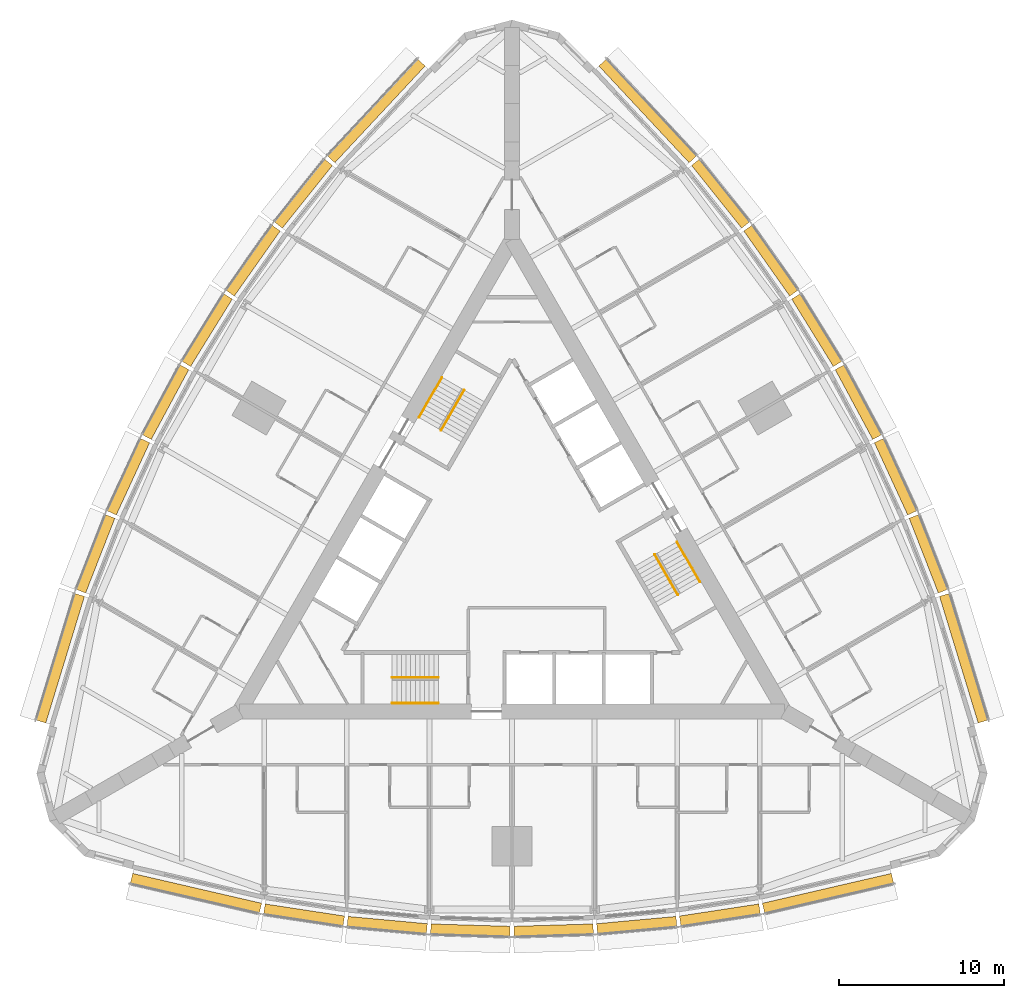
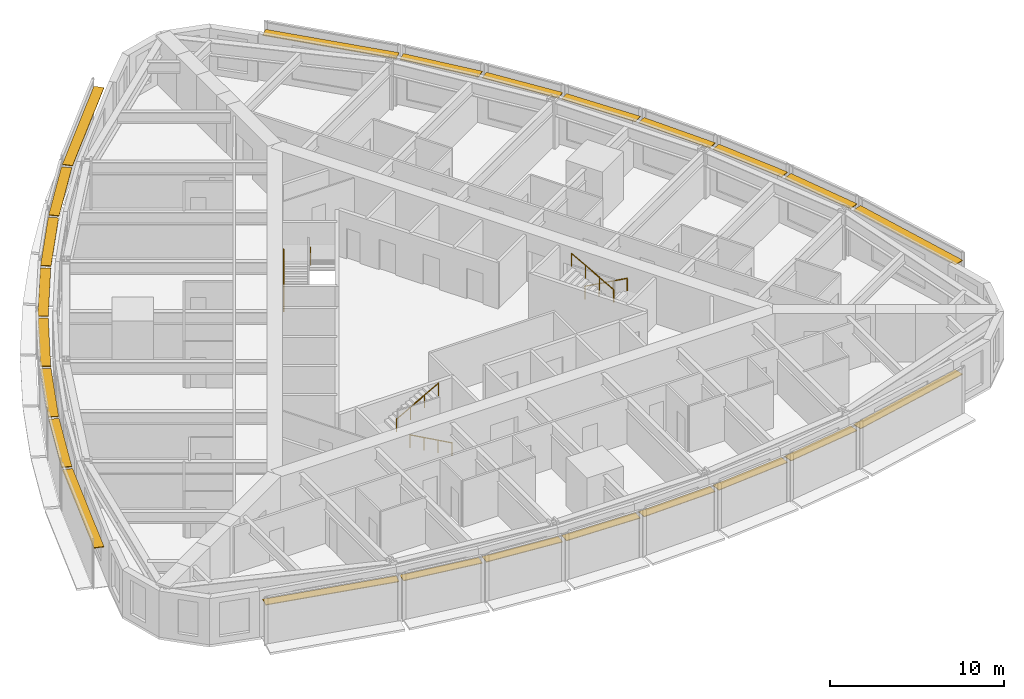
# One storey, part 14 of 14: 24 shading devices, 6 railings.
"""IFC4 building model written with IfcOpenShell, lengths in metres."""

from ifc_helpers import new_model, si_unit, direction, frame, origin, origin_2d, place, context, subcontext, project, spatial, rectangle, circle, extrude, material, type_object, element, save


model = new_model("IFC4")

# Units and contexts
model_context = context("Model", 3, precision=1e-05, world=origin(), true_north=direction((0.0, 1.0)))
body_context = subcontext(model_context, "Body", "Model", "MODEL_VIEW")
ifc_project = project(units=[si_unit("LENGTHUNIT", "METRE"), si_unit("AREAUNIT", "SQUARE_METRE"), si_unit("VOLUMEUNIT", "CUBIC_METRE"), si_unit("PLANEANGLEUNIT", "RADIAN"), si_unit("MASSUNIT", "GRAM", prefix="KILO")], contexts=[model_context])

# Site, building, storey
site_placement = place(None, origin())
site = spatial("IfcSite", under=ifc_project, at=site_placement, CompositionType="ELEMENT")
building_placement = place(site_placement, origin())
building = spatial("IfcBuilding", under=site, at=building_placement, Name="Trikona Tower", CompositionType="ELEMENT")
storey_placement = place(building_placement, frame((0.0, 0.0, 31.89990234375)))
storey = spatial("IfcBuildingStorey", under=building, at=storey_placement, Name="L06", CompositionType="ELEMENT", Elevation=31.89990234375)

# Shading devices
ifc_material_1 = material(Name="Aluminium louvre blade, pale anodised", Category="aluminium")
shading_device_type = type_object("IfcShadingDeviceType", Name="Cavity louvre 600", PredefinedType="USERDEFINED", material=ifc_material_1)
shading_device_1_placement = place(storey_placement, frame((-19.126220703125, -20.5234375, 2.77490234375), z_axis=(0.0, 0.0, 1.0), x_axis=(0.974277718622, -0.225350675607, 0.0)))
element("IfcShadingDevice", 1, at=shading_device_1_placement, inside=storey, type_object=shading_device_type, Name="Cavity louvre L06-00", ObjectType="LOUVRE", PredefinedType="USERDEFINED", context=body_context, shape_type="SweptSolid", body=[
    extrude(rectangle(XDim=8.01123046875, YDim=0.60009765625, at=origin_2d()), origin(), (0.0, 0.0, 1.0), 0.050048828125),
])
shading_device_2_placement = place(storey_placement, frame((-12.584228515625, -21.837158203125, 2.77490234375), z_axis=(0.0, 0.0, 1.0), x_axis=(0.988617896768, -0.150448177754, 0.0)))
element("IfcShadingDevice", 2, at=shading_device_2_placement, inside=storey, type_object=shading_device_type, Name="Cavity louvre L06-01", ObjectType="LOUVRE", PredefinedType="USERDEFINED", context=body_context, shape_type="SweptSolid", body=[
    extrude(rectangle(XDim=4.857666015625, YDim=0.60009765625, at=origin_2d()), origin(), (0.0, 0.0, 1.0), 0.050048828125),
])
shading_device_3_placement = place(storey_placement, frame((-7.55078125, -22.44970703125, 2.77490234375), z_axis=(0.0, 0.0, 1.0), x_axis=(0.995858098326, -0.090921108655, 0.0)))
element("IfcShadingDevice", 3, at=shading_device_3_placement, inside=storey, type_object=shading_device_type, Name="Cavity louvre L06-02", ObjectType="LOUVRE", PredefinedType="USERDEFINED", context=body_context, shape_type="SweptSolid", body=[
    extrude(rectangle(XDim=4.82080078125, YDim=0.60009765625, at=origin_2d()), origin(), (0.0, 0.0, 1.0), 0.050048828125),
])
for number, where, z_axis, x_axis, name in (
    (4, (-2.51708984375, -22.756103515625, 2.77490234375), (0.0, 0.0, 1.0), (0.999537048889, -0.030425119525, 0.0), "Cavity louvre L06-03"),
    (5, (2.51708984375, -22.756103515625, 2.77490234375), (0.0, 0.0, 1.0), (0.999537048889, 0.030425119525, 0.0), "Cavity louvre L06-04"),
):
    element("IfcShadingDevice", number, at=place(storey_placement, frame(where, z_axis=z_axis, x_axis=x_axis)), inside=storey, type_object=shading_device_type, Name=name, ObjectType="LOUVRE", PredefinedType="USERDEFINED", context=body_context, shape_type="SweptSolid", body=[
        extrude(rectangle(XDim=4.80224609375, YDim=0.60009765625, at=origin_2d()), origin(), (0.0, 0.0, 1.0), 0.050048828125),
    ])
shading_device_4_placement = place(storey_placement, frame((7.55078125, -22.44970703125, 2.77490234375), z_axis=(0.0, 0.0, 1.0), x_axis=(0.995858098326, 0.090921108655, 0.0)))
element("IfcShadingDevice", 6, at=shading_device_4_placement, inside=storey, type_object=shading_device_type, Name="Cavity louvre L06-05", ObjectType="LOUVRE", PredefinedType="USERDEFINED", context=body_context, shape_type="SweptSolid", body=[
    extrude(rectangle(XDim=4.82080078125, YDim=0.60009765625, at=origin_2d()), origin(), (0.0, 0.0, 1.0), 0.050048828125),
])
shading_device_5_placement = place(storey_placement, frame((12.584228515625, -21.837158203125, 2.77490234375), z_axis=(0.0, 0.0, 1.0), x_axis=(0.988617896768, 0.150448177754, 0.0)))
element("IfcShadingDevice", 7, at=shading_device_5_placement, inside=storey, type_object=shading_device_type, Name="Cavity louvre L06-06", ObjectType="LOUVRE", PredefinedType="USERDEFINED", context=body_context, shape_type="SweptSolid", body=[
    extrude(rectangle(XDim=4.857666015625, YDim=0.60009765625, at=origin_2d()), origin(), (0.0, 0.0, 1.0), 0.050048828125),
])
for number, where, z_axis, x_axis, name in (
    (8, (19.126220703125, -20.5234375, 2.77490234375), (0.0, 0.0, 1.0), (0.974277718622, 0.225350675607, 0.0), "Cavity louvre L06-07"),
    (9, (27.3369140625, -6.302001953125, 2.77490234375), (0.0, 0.0, 1.0), (-0.291979449475, 0.956424592471, 0.0), "Cavity louvre L06-12"),
):
    element("IfcShadingDevice", number, at=place(storey_placement, frame(where, z_axis=z_axis, x_axis=x_axis)), inside=storey, type_object=shading_device_type, Name=name, ObjectType="LOUVRE", PredefinedType="USERDEFINED", context=body_context, shape_type="SweptSolid", body=[
        extrude(rectangle(XDim=8.01123046875, YDim=0.60009765625, at=origin_2d()), origin(), (0.0, 0.0, 1.0), 0.050048828125),
    ])
shading_device_6_placement = place(storey_placement, frame((25.20361328125, 0.020263671875, 2.77490234375), z_axis=(0.0, 0.0, 1.0), x_axis=(-0.364008876551, 0.931395478726, 0.0)))
element("IfcShadingDevice", 10, at=shading_device_6_placement, inside=storey, type_object=shading_device_type, Name="Cavity louvre L06-13", ObjectType="LOUVRE", PredefinedType="USERDEFINED", context=body_context, shape_type="SweptSolid", body=[
    extrude(rectangle(XDim=4.857666015625, YDim=0.60009765625, at=origin_2d()), origin(), (0.0, 0.0, 1.0), 0.050048828125),
])
shading_device_7_placement = place(storey_placement, frame((23.217529296875, 4.685546875, 2.77490234375), z_axis=(0.0, 0.0, 1.0), x_axis=(-0.41919381307, 0.907896771161, 0.0)))
element("IfcShadingDevice", 11, at=shading_device_7_placement, inside=storey, type_object=shading_device_type, Name="Cavity louvre L06-14", ObjectType="LOUVRE", PredefinedType="USERDEFINED", context=body_context, shape_type="SweptSolid", body=[
    extrude(rectangle(XDim=4.82080078125, YDim=0.60009765625, at=origin_2d()), origin(), (0.0, 0.0, 1.0), 0.050048828125),
])
for number, where, z_axis, x_axis, name in (
    (12, (20.966064453125, 9.1982421875, 2.77490234375), (0.0, 0.0, 1.0), (-0.473422672721, 0.880835383572, 0.0), "Cavity louvre L06-15"),
    (13, (18.448974609375, 13.557861328125, 2.77490234375), (0.0, 0.0, 1.0), (-0.526118935114, 0.85041099835, 0.0), "Cavity louvre L06-16"),
):
    element("IfcShadingDevice", number, at=place(storey_placement, frame(where, z_axis=z_axis, x_axis=x_axis)), inside=storey, type_object=shading_device_type, Name=name, ObjectType="LOUVRE", PredefinedType="USERDEFINED", context=body_context, shape_type="SweptSolid", body=[
        extrude(rectangle(XDim=4.80224609375, YDim=0.60009765625, at=origin_2d()), origin(), (0.0, 0.0, 1.0), 0.050048828125),
    ])
shading_device_8_placement = place(storey_placement, frame((15.666748046875, 17.76416015625, 2.77490234375), z_axis=(0.0, 0.0, 1.0), x_axis=(-0.576661909499, 0.816982889743, 0.0)))
element("IfcShadingDevice", 14, at=shading_device_8_placement, inside=storey, type_object=shading_device_type, Name="Cavity louvre L06-17", ObjectType="LOUVRE", PredefinedType="USERDEFINED", context=body_context, shape_type="SweptSolid", body=[
    extrude(rectangle(XDim=4.82080078125, YDim=0.60009765625, at=origin_2d()), origin(), (0.0, 0.0, 1.0), 0.050048828125),
])
shading_device_9_placement = place(storey_placement, frame((12.619384765625, 21.81689453125, 2.77490234375), z_axis=(0.0, 0.0, 1.0), x_axis=(-0.624603618277, 0.780941944087, 0.0)))
element("IfcShadingDevice", 15, at=shading_device_9_placement, inside=storey, type_object=shading_device_type, Name="Cavity louvre L06-18", ObjectType="LOUVRE", PredefinedType="USERDEFINED", context=body_context, shape_type="SweptSolid", body=[
    extrude(rectangle(XDim=4.857666015625, YDim=0.60009765625, at=origin_2d()), origin(), (0.0, 0.0, 1.0), 0.050048828125),
])
for number, where, z_axis, x_axis, name in (
    (16, (8.210693359375, 26.825439453125, 2.77490234375), (0.0, 0.0, 1.0), (-0.682298269147, 0.731073916864, 0.0), "Cavity louvre L06-19"),
    (17, (-8.210693359375, 26.825439453125, 2.77490234375), (0.0, 0.0, 1.0), (-0.682298269147, -0.731073916864, 0.0), "Cavity louvre L06-24"),
):
    element("IfcShadingDevice", number, at=place(storey_placement, frame(where, z_axis=z_axis, x_axis=x_axis)), inside=storey, type_object=shading_device_type, Name=name, ObjectType="LOUVRE", PredefinedType="USERDEFINED", context=body_context, shape_type="SweptSolid", body=[
        extrude(rectangle(XDim=8.01123046875, YDim=0.60009765625, at=origin_2d()), origin(), (0.0, 0.0, 1.0), 0.050048828125),
    ])
shading_device_10_placement = place(storey_placement, frame((-12.619384765625, 21.81689453125, 2.77490234375), z_axis=(0.0, 0.0, 1.0), x_axis=(-0.624603618277, -0.780941944087, 0.0)))
element("IfcShadingDevice", 18, at=shading_device_10_placement, inside=storey, type_object=shading_device_type, Name="Cavity louvre L06-25", ObjectType="LOUVRE", PredefinedType="USERDEFINED", context=body_context, shape_type="SweptSolid", body=[
    extrude(rectangle(XDim=4.857666015625, YDim=0.60009765625, at=origin_2d()), origin(), (0.0, 0.0, 1.0), 0.050048828125),
])
shading_device_11_placement = place(storey_placement, frame((-15.666748046875, 17.76416015625, 2.77490234375), z_axis=(0.0, 0.0, 1.0), x_axis=(-0.576661909499, -0.816982889743, 0.0)))
element("IfcShadingDevice", 19, at=shading_device_11_placement, inside=storey, type_object=shading_device_type, Name="Cavity louvre L06-26", ObjectType="LOUVRE", PredefinedType="USERDEFINED", context=body_context, shape_type="SweptSolid", body=[
    extrude(rectangle(XDim=4.82080078125, YDim=0.60009765625, at=origin_2d()), origin(), (0.0, 0.0, 1.0), 0.050048828125),
])
for number, where, z_axis, x_axis, name in (
    (20, (-18.448974609375, 13.557861328125, 2.77490234375), (0.0, 0.0, 1.0), (-0.526118935114, -0.85041099835, 0.0), "Cavity louvre L06-27"),
    (21, (-20.966064453125, 9.1982421875, 2.77490234375), (0.0, 0.0, 1.0), (-0.473422672721, -0.880835383572, 0.0), "Cavity louvre L06-28"),
):
    element("IfcShadingDevice", number, at=place(storey_placement, frame(where, z_axis=z_axis, x_axis=x_axis)), inside=storey, type_object=shading_device_type, Name=name, ObjectType="LOUVRE", PredefinedType="USERDEFINED", context=body_context, shape_type="SweptSolid", body=[
        extrude(rectangle(XDim=4.80224609375, YDim=0.60009765625, at=origin_2d()), origin(), (0.0, 0.0, 1.0), 0.050048828125),
    ])
shading_device_12_placement = place(storey_placement, frame((-23.217529296875, 4.685546875, 2.77490234375), z_axis=(0.0, 0.0, 1.0), x_axis=(-0.41919381307, -0.907896771161, 0.0)))
element("IfcShadingDevice", 22, at=shading_device_12_placement, inside=storey, type_object=shading_device_type, Name="Cavity louvre L06-29", ObjectType="LOUVRE", PredefinedType="USERDEFINED", context=body_context, shape_type="SweptSolid", body=[
    extrude(rectangle(XDim=4.82080078125, YDim=0.60009765625, at=origin_2d()), origin(), (0.0, 0.0, 1.0), 0.050048828125),
])
shading_device_13_placement = place(storey_placement, frame((-25.20361328125, 0.020263671875, 2.77490234375), z_axis=(0.0, 0.0, 1.0), x_axis=(-0.364008876551, -0.931395478726, 0.0)))
element("IfcShadingDevice", 23, at=shading_device_13_placement, inside=storey, type_object=shading_device_type, Name="Cavity louvre L06-30", ObjectType="LOUVRE", PredefinedType="USERDEFINED", context=body_context, shape_type="SweptSolid", body=[
    extrude(rectangle(XDim=4.857666015625, YDim=0.60009765625, at=origin_2d()), origin(), (0.0, 0.0, 1.0), 0.050048828125),
])
shading_device_14_placement = place(storey_placement, frame((-27.3369140625, -6.302001953125, 2.77490234375), z_axis=(0.0, 0.0, 1.0), x_axis=(-0.291979449475, -0.956424592471, 0.0)))
element("IfcShadingDevice", 24, at=shading_device_14_placement, inside=storey, type_object=shading_device_type, Name="Cavity louvre L06-31", ObjectType="LOUVRE", PredefinedType="USERDEFINED", context=body_context, shape_type="SweptSolid", body=[
    extrude(rectangle(XDim=8.01123046875, YDim=0.60009765625, at=origin_2d()), origin(), (0.0, 0.0, 1.0), 0.050048828125),
])

# Railings
ifc_material_2 = material(Name="Stainless steel handrail", Category="steel")
railing_type = type_object("IfcRailingType", Name="Stair handrail", PredefinedType="HANDRAIL", material=ifc_material_2)
railing_1_placement = place(storey_placement, frame((-4.449951171875, -9.016357421875, 0.154541015625)))
element("IfcRailing", 25, at=railing_1_placement, inside=storey, type_object=railing_type, Name="Stair handrail A L06 1", PredefinedType="HANDRAIL", context=body_context, shape_type="SweptSolid", body=[
    extrude(circle(Radius=0.02392578125, at=origin_2d()), frame((0.0, 0.0, 0.8759765625), z_axis=(-0.875471895205, 0.0, 0.483269035534), x_axis=(0.0, -1.0, 0.0)), (0.0, 0.0, 1.0), 3.1982421875),
    extrude(circle(Radius=0.02099609375, at=origin_2d()), origin(), (0.0, 0.0, 1.0), 0.851806640625),
    extrude(circle(Radius=0.02099609375, at=origin_2d()), frame((-0.933349609375, 0.0, 0.51513671875)), (0.0, 0.0, 1.0), 0.851806640625),
    extrude(circle(Radius=0.02099609375, at=origin_2d()), frame((-1.86669921875, 0.0, 1.030517578125)), (0.0, 0.0, 1.0), 0.851806640625),
    extrude(circle(Radius=0.02099609375, at=origin_2d()), frame((-2.800048828125, 0.0, 1.545654296875)), (0.0, 0.0, 1.0), 0.851806640625),
])
railing_2_placement = place(storey_placement, frame((-7.25, -7.46630859375, 1.8544921875)))
element("IfcRailing", 26, at=railing_2_placement, inside=storey, type_object=railing_type, Name="Stair handrail A L06 2", PredefinedType="HANDRAIL", context=body_context, shape_type="SweptSolid", body=[
    extrude(circle(Radius=0.02392578125, at=origin_2d()), frame((0.0, 0.0, 0.8759765625), z_axis=(0.875471895205, 0.0, 0.483269035534), x_axis=(0.0, 1.0, 0.0)), (0.0, 0.0, 1.0), 3.1982421875),
    extrude(circle(Radius=0.02099609375, at=origin_2d()), origin(), (0.0, 0.0, 1.0), 0.851806640625),
    extrude(circle(Radius=0.02099609375, at=origin_2d()), frame((0.933349609375, 0.0, 0.51513671875)), (0.0, 0.0, 1.0), 0.851806640625),
    extrude(circle(Radius=0.02099609375, at=origin_2d()), frame((1.86669921875, 0.0, 1.030517578125)), (0.0, 0.0, 1.0), 0.851806640625),
    extrude(circle(Radius=0.02099609375, at=origin_2d()), frame((2.800048828125, 0.0, 1.545654296875)), (0.0, 0.0, 1.0), 0.851806640625),
])
railing_3_placement = place(storey_placement, frame((9.9833984375, 0.740966796875, 0.154541015625)))
element("IfcRailing", 27, at=railing_3_placement, inside=storey, type_object=railing_type, Name="Stair handrail B L06 1", PredefinedType="HANDRAIL", context=body_context, shape_type="SweptSolid", body=[
    extrude(circle(Radius=0.02392578125, at=origin_2d()), frame((0.0, 0.0, 0.8759765625), z_axis=(0.437691042731, -0.758211567396, 0.483261596012), x_axis=(0.866056369097, 0.49994636267, 0.0)), (0.0, 0.0, 1.0), 3.198486328125),
    extrude(circle(Radius=0.02099609375, at=origin_2d()), origin(), (0.0, 0.0, 1.0), 0.851806640625),
    extrude(circle(Radius=0.02099609375, at=origin_2d()), frame((0.466552734375, -0.808349609375, 0.51513671875)), (0.0, 0.0, 1.0), 0.851806640625),
    extrude(circle(Radius=0.02099609375, at=origin_2d()), frame((0.933349609375, -1.61669921875, 1.030517578125)), (0.0, 0.0, 1.0), 0.851806640625),
    extrude(circle(Radius=0.02099609375, at=origin_2d()), frame((1.39990234375, -2.425048828125, 1.545654296875)), (0.0, 0.0, 1.0), 0.851806640625),
])
railing_4_placement = place(storey_placement, frame((10.041015625, -2.458984375, 1.8544921875)))
element("IfcRailing", 28, at=railing_4_placement, inside=storey, type_object=railing_type, Name="Stair handrail B L06 2", PredefinedType="HANDRAIL", context=body_context, shape_type="SweptSolid", body=[
    extrude(circle(Radius=0.02392578125, at=origin_2d()), frame((0.0, 0.0, 0.8759765625), z_axis=(-0.437691042731, 0.758211567396, 0.483261596012), x_axis=(-0.866056369097, -0.49994636267, 0.0)), (0.0, 0.0, 1.0), 3.198486328125),
    extrude(circle(Radius=0.02099609375, at=origin_2d()), origin(), (0.0, 0.0, 1.0), 0.851806640625),
    extrude(circle(Radius=0.02099609375, at=origin_2d()), frame((-0.466552734375, 0.808349609375, 0.51513671875)), (0.0, 0.0, 1.0), 0.851806640625),
    extrude(circle(Radius=0.02099609375, at=origin_2d()), frame((-0.933349609375, 1.61669921875, 1.030517578125)), (0.0, 0.0, 1.0), 0.851806640625),
    extrude(circle(Radius=0.02099609375, at=origin_2d()), frame((-1.39990234375, 2.425048828125, 1.545654296875)), (0.0, 0.0, 1.0), 0.851806640625),
])
railing_5_placement = place(storey_placement, frame((-5.63330078125, 8.275390625, 0.154541015625)))
element("IfcRailing", 29, at=railing_5_placement, inside=storey, type_object=railing_type, Name="Stair handrail C L06 1", PredefinedType="HANDRAIL", context=body_context, shape_type="SweptSolid", body=[
    extrude(circle(Radius=0.02392578125, at=origin_2d()), frame((0.0, 0.0, 0.8759765625), z_axis=(0.437716375571, 0.758179114435, 0.4832895664), x_axis=(-0.866034573852, 0.49998411664, 0.0)), (0.0, 0.0, 1.0), 3.1982421875),
    extrude(circle(Radius=0.02099609375, at=origin_2d()), origin(), (0.0, 0.0, 1.0), 0.851806640625),
    extrude(circle(Radius=0.02099609375, at=origin_2d()), frame((0.466552734375, 0.808349609375, 0.51513671875)), (0.0, 0.0, 1.0), 0.851806640625),
    extrude(circle(Radius=0.02099609375, at=origin_2d()), frame((0.933349609375, 1.616455078125, 1.030517578125)), (0.0, 0.0, 1.0), 0.851806640625),
    extrude(circle(Radius=0.02099609375, at=origin_2d()), frame((1.39990234375, 2.4248046875, 1.545654296875)), (0.0, 0.0, 1.0), 0.851806640625),
])
railing_6_placement = place(storey_placement, frame((-2.89111328125, 9.92529296875, 1.8544921875)))
element("IfcRailing", 30, at=railing_6_placement, inside=storey, type_object=railing_type, Name="Stair handrail C L06 2", PredefinedType="HANDRAIL", context=body_context, shape_type="SweptSolid", body=[
    extrude(circle(Radius=0.02392578125, at=origin_2d()), frame((0.0, 0.0, 0.8759765625), z_axis=(-0.437691042731, -0.758211567396, 0.483261596012), x_axis=(0.866056369097, -0.49994636267, 0.0)), (0.0, 0.0, 1.0), 3.198486328125),
    extrude(circle(Radius=0.02099609375, at=origin_2d()), origin(), (0.0, 0.0, 1.0), 0.851806640625),
    extrude(circle(Radius=0.02099609375, at=origin_2d()), frame((-0.466552734375, -0.808349609375, 0.51513671875)), (0.0, 0.0, 1.0), 0.851806640625),
    extrude(circle(Radius=0.02099609375, at=origin_2d()), frame((-0.933349609375, -1.61669921875, 1.030517578125)), (0.0, 0.0, 1.0), 0.851806640625),
    extrude(circle(Radius=0.02099609375, at=origin_2d()), frame((-1.39990234375, -2.425048828125, 1.545654296875)), (0.0, 0.0, 1.0), 0.851806640625),
])

save(model, "model.ifc")
